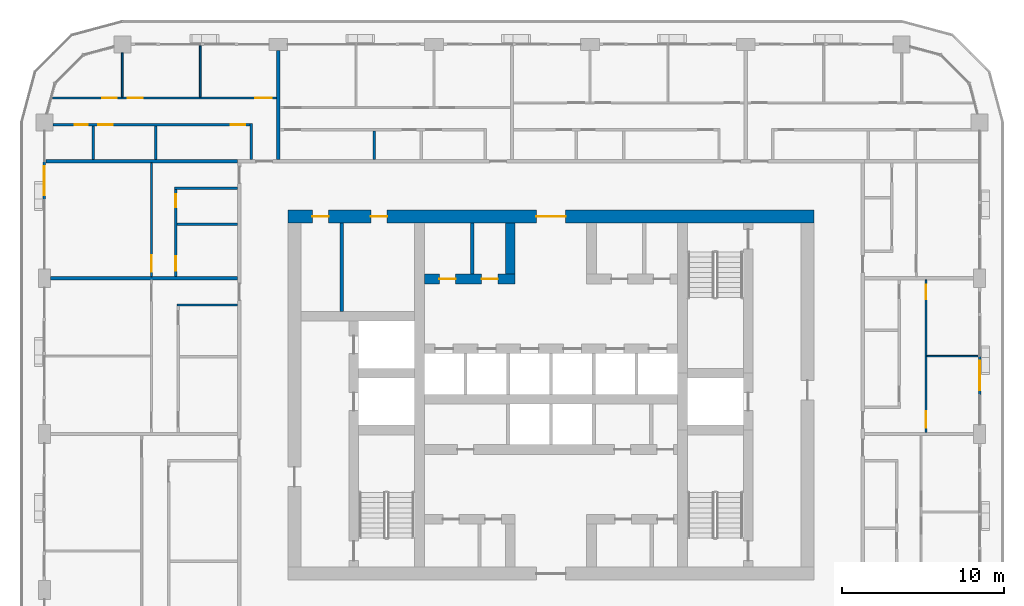
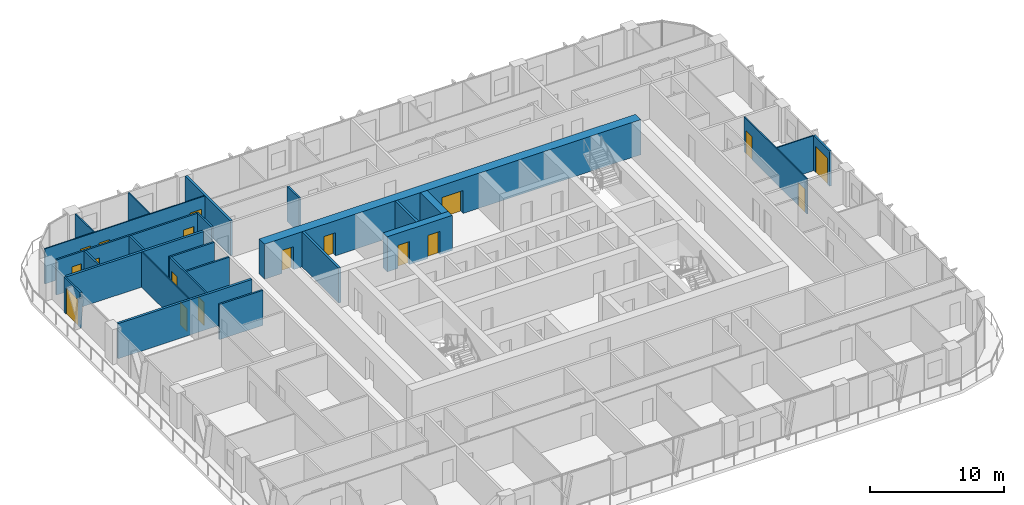
# One storey, part 13 of 22: 25 walls, 18 doors, 18 openings.
"""IFC4 building model written with IfcOpenShell, lengths in metres."""

from ifc_helpers import new_model, si_unit, direction, frame, frame_2d, origin, place, context, subcontext, project, spatial, rectangle, extrude, material, layer, layer_set, type_object, element, fill, save


model = new_model("IFC4")

# Units and contexts
model_context = context("Model", 3, precision=1e-05, world=origin(), true_north=direction((0.0, 1.0)))
body_context = subcontext(model_context, "Body", "Model", "MODEL_VIEW")
ifc_project = project(units=[si_unit("LENGTHUNIT", "METRE"), si_unit("AREAUNIT", "SQUARE_METRE"), si_unit("VOLUMEUNIT", "CUBIC_METRE"), si_unit("PLANEANGLEUNIT", "RADIAN"), si_unit("MASSUNIT", "GRAM", prefix="KILO")], contexts=[model_context])

# Site, building, storey
site_placement = place(None, origin())
site = spatial("IfcSite", under=ifc_project, at=site_placement, CompositionType="ELEMENT")
building_placement = place(site_placement, origin())
building = spatial("IfcBuilding", under=site, at=building_placement, Name="Madar Terraces", CompositionType="ELEMENT")
storey_placement = place(building_placement, frame((0.0, 0.0, 149.0)))
storey = spatial("IfcBuildingStorey", under=building, at=storey_placement, Name="L38", CompositionType="ELEMENT", Elevation=149.0)

# Wall, openings, doors
ifc_material_1 = material(Name="Concrete C70/85", Category="concrete")
ifc_layer_1 = layer(ifc_material_1, 0.60009765625)
ifc_layer_set_1 = layer_set([ifc_layer_1], Name="Concrete C70/85 (CIW3 RC wall 600)")
wall_type_1 = type_object("IfcWallType", Name="CIW3 RC wall 600", PredefinedType="SHEAR", material=ifc_layer_set_1)
wall_1_placement = place(storey_placement, frame((23.39990234375, 33.550048828125, 0.0), z_axis=(0.0, 0.0, 1.0), x_axis=(1.0, 0.0, 0.0)))
wall_1 = element("IfcWall", 1, at=wall_1_placement, inside=storey, type_object=wall_type_1, Name="CORE SHAFT WALL", PredefinedType="SHEAR", context=body_context, shape_type="SweptSolid", body=[
    extrude(rectangle(XDim=5.60009765625, YDim=0.60009765625, at=frame_2d((2.800048828125, 0.0))), origin(), (0.0, 0.0, 1.0), 3.199951171875),
])
opening_1_placement = place(wall_1_placement, frame((0.925048828125, 0.0, 0.0)))
opening_1 = element("IfcOpeningElement", 2, at=opening_1_placement, cuts=wall_1, Name="Opening KD2", PredefinedType="OPENING", context=body_context, shape_type="SweptSolid", body=[
    extrude(rectangle(XDim=1.0, YDim=2.10009765625, at=frame_2d((0.5, 1.050048828125))), frame((0.0, 0.31005859375, 0.0), z_axis=(0.0, -1.0, 0.0), x_axis=(1.0, 0.0, 0.0)), (0.0, 0.0, 1.0), 0.6201171875),
])
opening_2_placement = place(wall_1_placement, frame((3.52490234375, 0.0, 0.0)))
opening_2 = element("IfcOpeningElement", 3, at=opening_2_placement, cuts=wall_1, Name="Opening KD2", PredefinedType="OPENING", context=body_context, shape_type="SweptSolid", body=[
    extrude(rectangle(XDim=1.0, YDim=2.10009765625, at=frame_2d((0.5, 1.050048828125))), frame((0.0, 0.31005859375, 0.0), z_axis=(0.0, -1.0, 0.0), x_axis=(1.0, 0.0, 0.0)), (0.0, 0.0, 1.0), 0.6201171875),
])
ifc_material_2 = material(Name="Steel door leaf", Category="steel")
door_type_1 = type_object("IfcDoorType", Name="Service room door 1000 x 2100", OperationType="NOTDEFINED", PredefinedType="DOOR", material=ifc_material_2)
door_1_placement = place(opening_1_placement, frame((1.0, 0.0, 0.0), z_axis=(0.0, 0.0, 1.0), x_axis=(-1.0, 0.0, 0.0)))
door_1 = element("IfcDoor", 4, at=door_1_placement, inside=storey, type_object=door_type_1, Name="SERVICE ROOM DOOR", OperationType="SINGLE_SWING_RIGHT", OverallHeight=2.10009765625, OverallWidth=1.0, PredefinedType="DOOR", context=body_context, shape_type="SweptSolid", body=[
    extrude(rectangle(XDim=1.0, YDim=2.10009765625, at=frame_2d((0.5, 1.050048828125))), frame((0.0, 0.02490234375, 0.0), z_axis=(0.0, -1.0, 0.0), x_axis=(1.0, 0.0, 0.0)), (0.0, 0.0, 1.0), 0.050048828125),
])
fill(opening_1, door_1)
door_2_placement = place(opening_2_placement, frame((1.0, 0.0, 0.0), z_axis=(0.0, 0.0, 1.0), x_axis=(-1.0, 0.0, 0.0)))
door_2 = element("IfcDoor", 5, at=door_2_placement, inside=storey, type_object=door_type_1, Name="SERVICE ROOM DOOR", OperationType="SINGLE_SWING_LEFT", OverallHeight=2.10009765625, OverallWidth=1.0, PredefinedType="DOOR", context=body_context, shape_type="SweptSolid", body=[
    extrude(rectangle(XDim=1.0, YDim=2.10009765625, at=frame_2d((0.5, 1.050048828125))), frame((0.0, 0.02490234375, 0.0), z_axis=(0.0, -1.0, 0.0), x_axis=(1.0, 0.0, 0.0)), (0.0, 0.0, 1.0), 0.050048828125),
])
fill(opening_2, door_2)

# Wall
wall_2_placement = place(storey_placement, frame((28.699951171875, 33.85009765625, 0.0), z_axis=(0.0, 0.0, 1.0), x_axis=(0.0, 1.0, 0.0)))
element("IfcWall", 6, at=wall_2_placement, inside=storey, type_object=wall_type_1, Name="CORE SHAFT WALL", PredefinedType="SHEAR", context=body_context, shape_type="SweptSolid", body=[
    extrude(rectangle(XDim=3.14990234375, YDim=0.60009765625, at=frame_2d((1.574951171875, 0.0))), origin(), (0.0, 0.0, 1.0), 3.199951171875),
])

# Wall, openings, doors
ifc_material_3 = material(Name="Concrete C70/85", Category="concrete")
ifc_layer_2 = layer(ifc_material_3, 0.800048828125)
ifc_layer_set_2 = layer_set([ifc_layer_2], Name="Concrete C70/85 (CRW3 RC wall 800)")
wall_type_2 = type_object("IfcWallType", Name="CRW3 RC wall 800", PredefinedType="SHEAR", material=ifc_layer_set_2)
wall_3_placement = place(storey_placement, frame((15.0, 37.39990234375, 0.0), z_axis=(0.0, 0.0, 1.0), x_axis=(1.0, 0.0, 0.0)))
wall_3 = element("IfcWall", 7, at=wall_3_placement, inside=storey, type_object=wall_type_2, Name="CORE OUTER WALL", PredefinedType="SHEAR", context=body_context, shape_type="SweptSolid", body=[
    extrude(rectangle(XDim=32.39990234375, YDim=0.800048828125, at=frame_2d((16.199951171875, 0.0))), origin(), (0.0, 0.0, 1.0), 3.199951171875),
])
opening_3_placement = place(wall_3_placement, frame((15.300048828125, 0.0, 0.0)))
opening_3 = element("IfcOpeningElement", 8, at=opening_3_placement, cuts=wall_3, Name="Opening KD1", PredefinedType="OPENING", context=body_context, shape_type="SweptSolid", body=[
    extrude(rectangle(XDim=1.800048828125, YDim=2.10009765625, at=frame_2d((0.89990234375, 1.050048828125))), frame((0.0, 0.409912109375, 0.0), z_axis=(0.0, -1.0, 0.0), x_axis=(1.0, 0.0, 0.0)), (0.0, 0.0, 1.0), 0.820068359375),
])
opening_4_placement = place(wall_3_placement, frame((1.510009765625, 0.0, 0.0)))
opening_4 = element("IfcOpeningElement", 9, at=opening_4_placement, cuts=wall_3, Name="Opening KD2", PredefinedType="OPENING", context=body_context, shape_type="SweptSolid", body=[
    extrude(rectangle(XDim=1.0, YDim=2.10009765625, at=frame_2d((0.5, 1.050048828125))), frame((0.0, 0.409912109375, 0.0), z_axis=(0.0, -1.0, 0.0), x_axis=(1.0, 0.0, 0.0)), (0.0, 0.0, 1.0), 0.820068359375),
])
opening_5_placement = place(wall_3_placement, frame((5.110107421875, 0.0, 0.0)))
opening_5 = element("IfcOpeningElement", 10, at=opening_5_placement, cuts=wall_3, Name="Opening KD2", PredefinedType="OPENING", context=body_context, shape_type="SweptSolid", body=[
    extrude(rectangle(XDim=1.0, YDim=2.10009765625, at=frame_2d((0.5, 1.050048828125))), frame((0.0, 0.409912109375, 0.0), z_axis=(0.0, -1.0, 0.0), x_axis=(1.0, 0.0, 0.0)), (0.0, 0.0, 1.0), 0.820068359375),
])
ifc_material_4 = material(Name="Steel door leaf", Category="steel")
door_type_2 = type_object("IfcDoorType", Name="Lobby door pair 1800 x 2100", OperationType="DOUBLE_DOOR_SINGLE_SWING", PredefinedType="DOOR", material=ifc_material_4)
door_3_placement = place(opening_3_placement, origin())
door_3 = element("IfcDoor", 11, at=door_3_placement, inside=storey, type_object=door_type_2, Name="LIFT LOBBY DOOR", OperationType="DOUBLE_DOOR_SINGLE_SWING", OverallHeight=2.10009765625, OverallWidth=1.800048828125, PredefinedType="DOOR", context=body_context, shape_type="SweptSolid", body=[
    extrude(rectangle(XDim=1.800048828125, YDim=2.10009765625, at=frame_2d((0.89990234375, 1.050048828125))), frame((0.0, 0.02490234375, 0.0), z_axis=(0.0, -1.0, 0.0), x_axis=(1.0, 0.0, 0.0)), (0.0, 0.0, 1.0), 0.050048828125),
])
fill(opening_3, door_3)
door_4_placement = place(opening_4_placement, origin())
door_4 = element("IfcDoor", 12, at=door_4_placement, inside=storey, type_object=door_type_1, Name="SERVICE ROOM DOOR", OperationType="SINGLE_SWING_LEFT", OverallHeight=2.10009765625, OverallWidth=1.0, PredefinedType="DOOR", context=body_context, shape_type="SweptSolid", body=[
    extrude(rectangle(XDim=1.0, YDim=2.10009765625, at=frame_2d((0.5, 1.050048828125))), frame((0.0, 0.02490234375, 0.0), z_axis=(0.0, -1.0, 0.0), x_axis=(1.0, 0.0, 0.0)), (0.0, 0.0, 1.0), 0.050048828125),
])
fill(opening_4, door_4)
door_5_placement = place(opening_5_placement, origin())
door_5 = element("IfcDoor", 13, at=door_5_placement, inside=storey, type_object=door_type_1, Name="SERVICE ROOM DOOR", OperationType="SINGLE_SWING_RIGHT", OverallHeight=2.10009765625, OverallWidth=1.0, PredefinedType="DOOR", context=body_context, shape_type="SweptSolid", body=[
    extrude(rectangle(XDim=1.0, YDim=2.10009765625, at=frame_2d((0.5, 1.050048828125))), frame((0.0, 0.02490234375, 0.0), z_axis=(0.0, -1.0, 0.0), x_axis=(1.0, 0.0, 0.0)), (0.0, 0.0, 1.0), 0.050048828125),
])
fill(opening_5, door_5)

# Walls
ifc_material_5 = material(Name="Masonry blockwork", Category="masonry")
ifc_layer_3 = layer(ifc_material_5, 0.199951171875)
ifc_layer_set_3 = layer_set([ifc_layer_3], Name="Core partition 200 blockwork")
wall_type_3 = type_object("IfcWallType", Name="Core partition 200 blockwork", PredefinedType="PARTITIONING", material=ifc_layer_set_3)
wall_4_placement = place(storey_placement, frame((18.320068359375, 31.550048828125, 0.0), z_axis=(0.0, 0.0, 1.0), x_axis=(0.0, 1.0, 0.0)))
element("IfcWall", 14, at=wall_4_placement, inside=storey, type_object=wall_type_3, Name="SERVICE ROOM PARTITION", PredefinedType="PARTITIONING", context=body_context, shape_type="SweptSolid", body=[
    extrude(rectangle(XDim=5.449951171875, YDim=0.199951171875, at=frame_2d((2.72509765625, 0.0))), origin(), (0.0, 0.0, 1.0), 3.199951171875),
])
wall_5_placement = place(storey_placement, frame((26.35009765625, 33.85009765625, 0.0), z_axis=(0.0, 0.0, 1.0), x_axis=(0.0, 1.0, 0.0)))
element("IfcWall", 15, at=wall_5_placement, inside=storey, type_object=wall_type_3, Name="SERVICE ROOM PARTITION", PredefinedType="PARTITIONING", context=body_context, shape_type="SweptSolid", body=[
    extrude(rectangle(XDim=3.14990234375, YDim=0.199951171875, at=frame_2d((1.574951171875, 0.0))), origin(), (0.0, 0.0, 1.0), 3.199951171875),
])

# Wall, opening, door
ifc_material_6 = material(Name="Aluminium composite panel, black, over insulated backing", Category="aluminium")
ifc_layer_4 = layer(ifc_material_6, 0.14990234375)
ifc_layer_set_4 = layer_set([ifc_layer_4], Name="Facade bay panel 150")
wall_type_4 = type_object("IfcWallType", Name="Facade bay panel 150", PredefinedType="SOLIDWALL", material=ifc_layer_set_4)
wall_6_placement = place(storey_placement, frame((57.60009765625, 26.39990234375, 0.0), z_axis=(0.0, 0.0, 1.0), x_axis=(0.0, 1.0, 0.0)))
wall_6 = element("IfcWall", 16, at=wall_6_placement, inside=storey, type_object=wall_type_4, Name="Facade bay panel", PredefinedType="SOLIDWALL", context=body_context, shape_type="SweptSolid", body=[
    extrude(rectangle(XDim=2.400146484375, YDim=0.14990234375, at=frame_2d((1.2001953125, 0.0))), origin(), (0.0, 0.0, 1.0), 3.199951171875),
])
opening_6_placement = place(wall_6_placement, frame((0.300048828125, 0.0, 0.0)))
opening_6 = element("IfcOpeningElement", 17, at=opening_6_placement, cuts=wall_6, Name="Opening ED1", PredefinedType="OPENING", context=body_context, shape_type="SweptSolid", body=[
    extrude(rectangle(XDim=1.800048828125, YDim=2.39990234375, at=frame_2d((0.89990234375, 1.199951171875))), frame((0.0, 0.0849609375, 0.0), z_axis=(0.0, -1.0, 0.0), x_axis=(1.0, 0.0, 0.0)), (0.0, 0.0, 1.0), 0.169921875),
])
ifc_material_7 = material(Name="Glass, clear, with black aluminium frame", Category="aluminium")
door_type_3 = type_object("IfcDoorType", Name="Balcony and terrace sliding door 1800 x 2400", OperationType="SLIDING_TO_LEFT", PredefinedType="DOOR", material=ifc_material_7)
door_6_placement = place(opening_6_placement, origin())
door_6 = element("IfcDoor", 18, at=door_6_placement, inside=storey, type_object=door_type_3, Name="Balcony door", OperationType="SLIDING_TO_RIGHT", OverallHeight=2.39990234375, OverallWidth=1.800048828125, PredefinedType="DOOR", context=body_context, shape_type="SweptSolid", body=[
    extrude(rectangle(XDim=1.800048828125, YDim=2.39990234375, at=frame_2d((0.89990234375, 1.199951171875))), frame((0.0, 0.02490234375, 0.0), z_axis=(0.0, -1.0, 0.0), x_axis=(1.0, 0.0, 0.0)), (0.0, 0.0, 1.0), 0.050048828125),
])
fill(opening_6, door_6)

wall_7_placement = place(storey_placement, frame((0.0, 40.800048828125, 0.0), z_axis=(0.0, 0.0, 1.0), x_axis=(0.0, -1.0, 0.0)))
wall_7 = element("IfcWall", 19, at=wall_7_placement, inside=storey, type_object=wall_type_4, Name="Facade bay panel", PredefinedType="SOLIDWALL", context=body_context, shape_type="SweptSolid", body=[
    extrude(rectangle(XDim=2.400146484375, YDim=0.14990234375, at=frame_2d((1.2001953125, 0.0))), origin(), (0.0, 0.0, 1.0), 3.199951171875),
])
opening_7_placement = place(wall_7_placement, frame((0.300048828125, 0.0, 0.0)))
opening_7 = element("IfcOpeningElement", 20, at=opening_7_placement, cuts=wall_7, Name="Opening ED1", PredefinedType="OPENING", context=body_context, shape_type="SweptSolid", body=[
    extrude(rectangle(XDim=1.800048828125, YDim=2.39990234375, at=frame_2d((0.89990234375, 1.199951171875))), frame((0.0, 0.0849609375, 0.0), z_axis=(0.0, -1.0, 0.0), x_axis=(1.0, 0.0, 0.0)), (0.0, 0.0, 1.0), 0.169921875),
])
door_7_placement = place(opening_7_placement, origin())
door_7 = element("IfcDoor", 21, at=door_7_placement, inside=storey, type_object=door_type_3, Name="Balcony door", OperationType="SLIDING_TO_LEFT", OverallHeight=2.39990234375, OverallWidth=1.800048828125, PredefinedType="DOOR", context=body_context, shape_type="SweptSolid", body=[
    extrude(rectangle(XDim=1.800048828125, YDim=2.39990234375, at=frame_2d((0.89990234375, 1.199951171875))), frame((0.0, 0.02490234375, 0.0), z_axis=(0.0, -1.0, 0.0), x_axis=(1.0, 0.0, 0.0)), (0.0, 0.0, 1.0), 0.050048828125),
])
fill(opening_7, door_7)

# Wall
ifc_material_8 = material(Name="Gypsum board on steel studs", Category="steel")
ifc_layer_5 = layer(ifc_material_8, 0.10009765625)
ifc_layer_set_5 = layer_set([ifc_layer_5], Name="Flat partition 100")
wall_type_5 = type_object("IfcWallType", Name="Flat partition 100", PredefinedType="PARTITIONING", material=ifc_layer_set_5)
wall_8_placement = place(storey_placement, frame((54.35009765625, 28.800048828125, 0.0), z_axis=(0.0, 0.0, 1.0), x_axis=(1.0, 0.0, 0.0)))
element("IfcWall", 22, at=wall_8_placement, inside=storey, type_object=wall_type_5, Name="Flat partition 100", PredefinedType="PARTITIONING", context=body_context, shape_type="SweptSolid", body=[
    extrude(rectangle(XDim=3.14990234375, YDim=0.10009765625, at=frame_2d((1.574951171875, 0.0))), origin(), (0.0, 0.0, 1.0), 3.199951171875),
])

# Wall, openings, doors
wall_9_placement = place(storey_placement, frame((54.300048828125, 33.5, 0.0), z_axis=(0.0, 0.0, 1.0), x_axis=(0.0, -1.0, 0.0)))
wall_9 = element("IfcWall", 23, at=wall_9_placement, inside=storey, type_object=wall_type_5, Name="Flat partition 100", PredefinedType="PARTITIONING", context=body_context, shape_type="SweptSolid", body=[
    extrude(rectangle(XDim=9.39990234375, YDim=0.10009765625, at=frame_2d((4.699951171875, 0.0))), origin(), (0.0, 0.0, 1.0), 3.199951171875),
])
opening_8_placement = place(wall_9_placement, frame((8.10009765625, 0.0, 0.0)))
opening_8 = element("IfcOpeningElement", 24, at=opening_8_placement, cuts=wall_9, Name="Opening D3", PredefinedType="OPENING", context=body_context, shape_type="SweptSolid", body=[
    extrude(rectangle(XDim=1.0, YDim=2.10009765625, at=frame_2d((0.5, 1.050048828125))), frame((0.0, 0.06005859375, 0.0), z_axis=(0.0, -1.0, 0.0), x_axis=(1.0, 0.0, 0.0)), (0.0, 0.0, 1.0), 0.1201171875),
])
opening_9_placement = place(wall_9_placement, frame((0.300048828125, 0.0, 0.0)))
opening_9 = element("IfcOpeningElement", 25, at=opening_9_placement, cuts=wall_9, Name="Opening D2", PredefinedType="OPENING", context=body_context, shape_type="SweptSolid", body=[
    extrude(rectangle(XDim=0.89990234375, YDim=2.10009765625, at=frame_2d((0.449951171875, 1.050048828125))), frame((0.0, 0.06005859375, 0.0), z_axis=(0.0, -1.0, 0.0), x_axis=(1.0, 0.0, 0.0)), (0.0, 0.0, 1.0), 0.1201171875),
])
ifc_material_9 = material(Name="Timber door leaf", Category="wood")
door_type_4 = type_object("IfcDoorType", Name="Flat living room door 1000", OperationType="NOTDEFINED", PredefinedType="DOOR", material=ifc_material_9)
door_8_placement = place(opening_8_placement, origin())
door_8 = element("IfcDoor", 26, at=door_8_placement, inside=storey, type_object=door_type_4, Name="Flat living room door 1000", OperationType="SINGLE_SWING_RIGHT", OverallHeight=2.10009765625, OverallWidth=1.0, PredefinedType="DOOR", context=body_context, shape_type="SweptSolid", body=[
    extrude(rectangle(XDim=1.0, YDim=2.10009765625, at=frame_2d((0.5, 1.050048828125))), frame((0.0, 0.02490234375, 0.0), z_axis=(0.0, -1.0, 0.0), x_axis=(1.0, 0.0, 0.0)), (0.0, 0.0, 1.0), 0.050048828125),
])
fill(opening_8, door_8)
ifc_material_10 = material(Name="Timber door leaf", Category="wood")
door_type_5 = type_object("IfcDoorType", Name="Flat room door 900", OperationType="NOTDEFINED", PredefinedType="DOOR", material=ifc_material_10)
door_9_placement = place(opening_9_placement, origin())
door_9 = element("IfcDoor", 27, at=door_9_placement, inside=storey, type_object=door_type_5, Name="Flat room door 900", OperationType="SINGLE_SWING_LEFT", OverallHeight=2.10009765625, OverallWidth=0.89990234375, PredefinedType="DOOR", context=body_context, shape_type="SweptSolid", body=[
    extrude(rectangle(XDim=0.89990234375, YDim=2.10009765625, at=frame_2d((0.449951171875, 1.050048828125))), frame((0.0, 0.02490234375, 0.0), z_axis=(0.0, -1.0, 0.0), x_axis=(1.0, 0.0, 0.0)), (0.0, 0.0, 1.0), 0.050048828125),
])
fill(opening_9, door_9)

# Walls
wall_10_placement = place(storey_placement, frame((9.60009765625, 44.75, 0.0), z_axis=(0.0, 0.0, 1.0), x_axis=(0.0, 1.0, 0.0)))
element("IfcWall", 28, at=wall_10_placement, inside=storey, type_object=wall_type_5, Name="Flat partition 100", PredefinedType="PARTITIONING", context=body_context, shape_type="SweptSolid", body=[
    extrude(rectangle(XDim=3.14990234375, YDim=0.10009765625, at=frame_2d((1.574951171875, 0.0))), origin(), (0.0, 0.0, 1.0), 3.199951171875),
])
wall_11_placement = place(storey_placement, frame((4.800048828125, 44.75, 0.0), z_axis=(0.0, 0.0, 1.0), x_axis=(0.0, 1.0, 0.0)))
element("IfcWall", 29, at=wall_11_placement, inside=storey, type_object=wall_type_5, Name="Flat partition 100", PredefinedType="PARTITIONING", context=body_context, shape_type="SweptSolid", body=[
    extrude(rectangle(XDim=2.72509765625, YDim=0.10009765625, at=frame_2d((1.362548828125, 0.0))), origin(), (0.0, 0.0, 1.0), 3.199951171875),
])

# Wall, openings, doors
wall_12_placement = place(storey_placement, frame((0.501953125, 44.699951171875, 0.0), z_axis=(0.0, 0.0, 1.0), x_axis=(1.0, 0.0, 0.0)))
wall_12 = element("IfcWall", 30, at=wall_12_placement, inside=storey, type_object=wall_type_5, Name="Flat partition 100", PredefinedType="PARTITIONING", context=body_context, shape_type="SweptSolid", body=[
    extrude(rectangle(XDim=13.798095703125, YDim=0.10009765625, at=frame_2d((6.89892578125, 0.0))), origin(), (0.0, 0.0, 1.0), 3.199951171875),
])
opening_10_placement = place(wall_12_placement, frame((12.498046875, 0.0, 0.0)))
opening_10 = element("IfcOpeningElement", 31, at=opening_10_placement, cuts=wall_12, Name="Opening D3", PredefinedType="OPENING", context=body_context, shape_type="SweptSolid", body=[
    extrude(rectangle(XDim=1.0, YDim=2.10009765625, at=frame_2d((0.5, 1.050048828125))), frame((0.0, 0.06005859375, 0.0), z_axis=(0.0, -1.0, 0.0), x_axis=(1.0, 0.0, 0.0)), (0.0, 0.0, 1.0), 0.1201171875),
])
opening_11_placement = place(wall_12_placement, frame((4.648193359375, 0.0, 0.0)))
opening_11 = element("IfcOpeningElement", 32, at=opening_11_placement, cuts=wall_12, Name="Opening D2", PredefinedType="OPENING", context=body_context, shape_type="SweptSolid", body=[
    extrude(rectangle(XDim=0.89990234375, YDim=2.10009765625, at=frame_2d((0.449951171875, 1.050048828125))), frame((0.0, 0.06005859375, 0.0), z_axis=(0.0, -1.0, 0.0), x_axis=(1.0, 0.0, 0.0)), (0.0, 0.0, 1.0), 0.1201171875),
])
opening_12_placement = place(wall_12_placement, frame((3.048095703125, 0.0, 0.0)))
opening_12 = element("IfcOpeningElement", 33, at=opening_12_placement, cuts=wall_12, Name="Opening D2", PredefinedType="OPENING", context=body_context, shape_type="SweptSolid", body=[
    extrude(rectangle(XDim=0.89990234375, YDim=2.10009765625, at=frame_2d((0.449951171875, 1.050048828125))), frame((0.0, 0.06005859375, 0.0), z_axis=(0.0, -1.0, 0.0), x_axis=(1.0, 0.0, 0.0)), (0.0, 0.0, 1.0), 0.1201171875),
])
door_10_placement = place(opening_10_placement, origin())
door_10 = element("IfcDoor", 34, at=door_10_placement, inside=storey, type_object=door_type_4, Name="Flat living room door 1000", OperationType="SINGLE_SWING_RIGHT", OverallHeight=2.10009765625, OverallWidth=1.0, PredefinedType="DOOR", context=body_context, shape_type="SweptSolid", body=[
    extrude(rectangle(XDim=1.0, YDim=2.10009765625, at=frame_2d((0.5, 1.050048828125))), frame((0.0, 0.02490234375, 0.0), z_axis=(0.0, -1.0, 0.0), x_axis=(1.0, 0.0, 0.0)), (0.0, 0.0, 1.0), 0.050048828125),
])
fill(opening_10, door_10)
door_11_placement = place(opening_11_placement, origin())
door_11 = element("IfcDoor", 35, at=door_11_placement, inside=storey, type_object=door_type_5, Name="Flat room door 900", OperationType="SINGLE_SWING_LEFT", OverallHeight=2.10009765625, OverallWidth=0.89990234375, PredefinedType="DOOR", context=body_context, shape_type="SweptSolid", body=[
    extrude(rectangle(XDim=0.89990234375, YDim=2.10009765625, at=frame_2d((0.449951171875, 1.050048828125))), frame((0.0, 0.02490234375, 0.0), z_axis=(0.0, -1.0, 0.0), x_axis=(1.0, 0.0, 0.0)), (0.0, 0.0, 1.0), 0.050048828125),
])
fill(opening_11, door_11)
door_12_placement = place(opening_12_placement, origin())
door_12 = element("IfcDoor", 36, at=door_12_placement, inside=storey, type_object=door_type_5, Name="Flat room door 900", OperationType="SINGLE_SWING_RIGHT", OverallHeight=2.10009765625, OverallWidth=0.89990234375, PredefinedType="DOOR", context=body_context, shape_type="SweptSolid", body=[
    extrude(rectangle(XDim=0.89990234375, YDim=2.10009765625, at=frame_2d((0.449951171875, 1.050048828125))), frame((0.0, 0.02490234375, 0.0), z_axis=(0.0, -1.0, 0.0), x_axis=(1.0, 0.0, 0.0)), (0.0, 0.0, 1.0), 0.050048828125),
])
fill(opening_12, door_12)

# Wall, opening, door
wall_13_placement = place(storey_placement, frame((6.60009765625, 33.699951171875, 0.0), z_axis=(0.0, 0.0, 1.0), x_axis=(0.0, 1.0, 0.0)))
wall_13 = element("IfcWall", 37, at=wall_13_placement, inside=storey, type_object=wall_type_5, Name="Flat partition 100", PredefinedType="PARTITIONING", context=body_context, shape_type="SweptSolid", body=[
    extrude(rectangle(XDim=7.0, YDim=0.10009765625, at=frame_2d((3.5, 0.0))), origin(), (0.0, 0.0, 1.0), 3.199951171875),
])
opening_13_placement = place(wall_13_placement, frame((0.300048828125, 0.0, 0.0)))
opening_13 = element("IfcOpeningElement", 38, at=opening_13_placement, cuts=wall_13, Name="Opening D3", PredefinedType="OPENING", context=body_context, shape_type="SweptSolid", body=[
    extrude(rectangle(XDim=1.0, YDim=2.10009765625, at=frame_2d((0.5, 1.050048828125))), frame((0.0, 0.06005859375, 0.0), z_axis=(0.0, -1.0, 0.0), x_axis=(1.0, 0.0, 0.0)), (0.0, 0.0, 1.0), 0.1201171875),
])
door_13_placement = place(opening_13_placement, origin())
door_13 = element("IfcDoor", 39, at=door_13_placement, inside=storey, type_object=door_type_4, Name="Flat living room door 1000", OperationType="SINGLE_SWING_LEFT", OverallHeight=2.10009765625, OverallWidth=1.0, PredefinedType="DOOR", context=body_context, shape_type="SweptSolid", body=[
    extrude(rectangle(XDim=1.0, YDim=2.10009765625, at=frame_2d((0.5, 1.050048828125))), frame((0.0, 0.02490234375, 0.0), z_axis=(0.0, -1.0, 0.0), x_axis=(1.0, 0.0, 0.0)), (0.0, 0.0, 1.0), 0.050048828125),
])
fill(opening_13, door_13)

# Walls
ifc_material_11 = material(Name="Lightweight blockwork", Category="masonry")
ifc_layer_6 = layer(ifc_material_11, 0.199951171875)
ifc_layer_set_6 = layer_set([ifc_layer_6], Name="Flat party and entrance wall 200")
wall_type_6 = type_object("IfcWallType", Name="Flat party and entrance wall 200", PredefinedType="PARTITIONING", material=ifc_layer_set_6)
wall_14_placement = place(storey_placement, frame((14.39990234375, 47.625, 0.0), z_axis=(0.0, 0.0, 1.0), x_axis=(0.0, -1.0, 0.0)))
element("IfcWall", 40, at=wall_14_placement, inside=storey, type_object=wall_type_6, Name="Flat party and entrance wall 200", PredefinedType="PARTITIONING", context=body_context, shape_type="SweptSolid", body=[
    extrude(rectangle(XDim=6.72509765625, YDim=0.199951171875, at=frame_2d((3.362548828125, 0.0))), origin(), (0.0, 0.0, 1.0), 3.199951171875),
])
wall_15_placement = place(storey_placement, frame((0.10009765625, 40.800048828125, 0.0), z_axis=(0.0, 0.0, 1.0), x_axis=(1.0, 0.0, 0.0)))
element("IfcWall", 41, at=wall_15_placement, inside=storey, type_object=wall_type_6, Name="Flat party and entrance wall 200", PredefinedType="PARTITIONING", context=body_context, shape_type="SweptSolid", body=[
    extrude(rectangle(XDim=11.7998046875, YDim=0.199951171875, at=frame_2d((5.89990234375, 0.0))), origin(), (0.0, 0.0, 1.0), 3.199951171875),
])
wall_16_placement = place(storey_placement, frame((0.375, 33.60009765625, 0.0), z_axis=(0.0, 0.0, 1.0), x_axis=(1.0, 0.0, 0.0)))
element("IfcWall", 42, at=wall_16_placement, inside=storey, type_object=wall_type_6, Name="Flat party and entrance wall 200", PredefinedType="PARTITIONING", context=body_context, shape_type="SweptSolid", body=[
    extrude(rectangle(XDim=11.52490234375, YDim=0.199951171875, at=frame_2d((5.762451171875, 0.0))), origin(), (0.0, 0.0, 1.0), 3.199951171875),
])
ifc_material_12 = material(Name="Lightweight blockwork", Category="masonry")
ifc_layer_7 = layer(ifc_material_12, 0.14990234375)
ifc_layer_set_7 = layer_set([ifc_layer_7], Name="Flat wet-room partition 150")
wall_type_7 = type_object("IfcWallType", Name="Flat wet-room partition 150", PredefinedType="PARTITIONING", material=ifc_layer_set_7)
wall_17_placement = place(storey_placement, frame((20.303955078125, 40.89990234375, 0.0), z_axis=(0.0, 0.0, 1.0), x_axis=(0.0, 1.0, 0.0)))
element("IfcWall", 43, at=wall_17_placement, inside=storey, type_object=wall_type_7, Name="Flat wet-room partition 150", PredefinedType="PARTITIONING", context=body_context, shape_type="SweptSolid", body=[
    extrude(rectangle(XDim=1.775146484375, YDim=0.14990234375, at=frame_2d((0.8876953125, 0.0))), origin(), (0.0, 0.0, 1.0), 3.199951171875),
])
for number, where, z_axis, x_axis, name in (
    (44, (6.87109375, 40.89990234375, 0.0), (0.0, 0.0, 1.0), (0.0, 1.0, 0.0), "Flat wet-room partition 150"),
    (45, (3.001953125, 40.89990234375, 0.0), (0.0, 0.0, 1.0), (0.0, 1.0, 0.0), "Flat wet-room partition 150"),
):
    element("IfcWall", number, at=place(storey_placement, frame(where, z_axis=z_axis, x_axis=x_axis)), inside=storey, type_object=wall_type_7, Name=name, PredefinedType="PARTITIONING", context=body_context, shape_type="SweptSolid", body=[
        extrude(rectangle(XDim=2.0751953125, YDim=0.14990234375, at=frame_2d((1.03759765625, 0.0))), origin(), (0.0, 0.0, 1.0), 3.199951171875),
    ])
wall_18_placement = place(storey_placement, frame((12.75, 40.89990234375, 0.0), z_axis=(0.0, 0.0, 1.0), x_axis=(0.0, 1.0, 0.0)))
element("IfcWall", 46, at=wall_18_placement, inside=storey, type_object=wall_type_7, Name="Flat wet-room partition 150", PredefinedType="PARTITIONING", context=body_context, shape_type="SweptSolid", body=[
    extrude(rectangle(XDim=2.22509765625, YDim=0.14990234375, at=frame_2d((1.112548828125, 0.0))), origin(), (0.0, 0.0, 1.0), 3.199951171875),
])

# Wall, openings, doors
wall_19_placement = place(storey_placement, frame((12.675048828125, 43.050048828125, 0.0), z_axis=(0.0, 0.0, 1.0), x_axis=(-1.0, 0.0, 0.0)))
wall_19 = element("IfcWall", 47, at=wall_19_placement, inside=storey, type_object=wall_type_7, Name="Flat wet-room partition 150", PredefinedType="PARTITIONING", context=body_context, shape_type="SweptSolid", body=[
    extrude(rectangle(XDim=12.150146484375, YDim=0.14990234375, at=frame_2d((6.0751953125, 0.0))), origin(), (0.0, 0.0, 1.0), 3.199951171875),
])
opening_14_placement = place(wall_19_placement, frame((0.300048828125, 0.0, 0.0)))
opening_14 = element("IfcOpeningElement", 48, at=opening_14_placement, cuts=wall_19, Name="Opening D2", PredefinedType="OPENING", context=body_context, shape_type="SweptSolid", body=[
    extrude(rectangle(XDim=0.89990234375, YDim=2.10009765625, at=frame_2d((0.449951171875, 1.050048828125))), frame((0.0, 0.0849609375, 0.0), z_axis=(0.0, -1.0, 0.0), x_axis=(1.0, 0.0, 0.0)), (0.0, 0.0, 1.0), 0.169921875),
])
opening_15_placement = place(wall_19_placement, frame((8.447998046875, 0.0, 0.0)))
opening_15 = element("IfcOpeningElement", 49, at=opening_15_placement, cuts=wall_19, Name="Opening D5", PredefinedType="OPENING", context=body_context, shape_type="SweptSolid", body=[
    extrude(rectangle(XDim=0.89990234375, YDim=2.10009765625, at=frame_2d((0.449951171875, 1.050048828125))), frame((0.0, 0.0849609375, 0.0), z_axis=(0.0, -1.0, 0.0), x_axis=(1.0, 0.0, 0.0)), (0.0, 0.0, 1.0), 0.169921875),
])
opening_16_placement = place(wall_19_placement, frame((9.998046875, 0.0, 0.0)))
opening_16 = element("IfcOpeningElement", 50, at=opening_16_placement, cuts=wall_19, Name="Opening D4", PredefinedType="OPENING", context=body_context, shape_type="SweptSolid", body=[
    extrude(rectangle(XDim=0.800048828125, YDim=2.10009765625, at=frame_2d((0.39990234375, 1.050048828125))), frame((0.0, 0.0849609375, 0.0), z_axis=(0.0, -1.0, 0.0), x_axis=(1.0, 0.0, 0.0)), (0.0, 0.0, 1.0), 0.169921875),
])
ifc_material_13 = material(Name="Timber door leaf", Category="wood")
door_type_6 = type_object("IfcDoorType", Name="Flat accessible bathroom door 900", OperationType="NOTDEFINED", PredefinedType="DOOR", material=ifc_material_13)
door_14_placement = place(opening_15_placement, origin())
door_14 = element("IfcDoor", 51, at=door_14_placement, inside=storey, type_object=door_type_6, Name="Flat accessible bathroom door 900", OperationType="SINGLE_SWING_RIGHT", OverallHeight=2.10009765625, OverallWidth=0.89990234375, PredefinedType="DOOR", context=body_context, shape_type="SweptSolid", body=[
    extrude(rectangle(XDim=0.89990234375, YDim=2.10009765625, at=frame_2d((0.449951171875, 1.050048828125))), frame((0.0, 0.02490234375, 0.0), z_axis=(0.0, -1.0, 0.0), x_axis=(1.0, 0.0, 0.0)), (0.0, 0.0, 1.0), 0.050048828125),
])
fill(opening_15, door_14)
ifc_material_14 = material(Name="Timber door leaf", Category="wood")
door_type_7 = type_object("IfcDoorType", Name="Flat bathroom door 800", OperationType="NOTDEFINED", PredefinedType="DOOR", material=ifc_material_14)
door_15_placement = place(opening_16_placement, origin())
door_15 = element("IfcDoor", 52, at=door_15_placement, inside=storey, type_object=door_type_7, Name="Flat bathroom door 800", OperationType="SINGLE_SWING_LEFT", OverallHeight=2.10009765625, OverallWidth=0.800048828125, PredefinedType="DOOR", context=body_context, shape_type="SweptSolid", body=[
    extrude(rectangle(XDim=0.800048828125, YDim=2.10009765625, at=frame_2d((0.39990234375, 1.050048828125))), frame((0.0, 0.02490234375, 0.0), z_axis=(0.0, -1.0, 0.0), x_axis=(1.0, 0.0, 0.0)), (0.0, 0.0, 1.0), 0.050048828125),
])
fill(opening_16, door_15)
door_16_placement = place(opening_14_placement, origin())
door_16 = element("IfcDoor", 53, at=door_16_placement, inside=storey, type_object=door_type_5, Name="Flat room door 900", OperationType="SINGLE_SWING_LEFT", OverallHeight=2.10009765625, OverallWidth=0.89990234375, PredefinedType="DOOR", context=body_context, shape_type="SweptSolid", body=[
    extrude(rectangle(XDim=0.89990234375, YDim=2.10009765625, at=frame_2d((0.449951171875, 1.050048828125))), frame((0.0, 0.02490234375, 0.0), z_axis=(0.0, -1.0, 0.0), x_axis=(1.0, 0.0, 0.0)), (0.0, 0.0, 1.0), 0.050048828125),
])
fill(opening_14, door_16)

# Walls
wall_20_placement = place(storey_placement, frame((11.89990234375, 36.925048828125, 0.0), z_axis=(0.0, 0.0, 1.0), x_axis=(-1.0, 0.0, 0.0)))
element("IfcWall", 54, at=wall_20_placement, inside=storey, type_object=wall_type_7, Name="Flat wet-room partition 150", PredefinedType="PARTITIONING", context=body_context, shape_type="SweptSolid", body=[
    extrude(rectangle(XDim=3.724853515625, YDim=0.14990234375, at=frame_2d((1.8623046875, 0.0))), origin(), (0.0, 0.0, 1.0), 3.199951171875),
])
wall_21_placement = place(storey_placement, frame((11.89990234375, 39.14990234375, 0.0), z_axis=(0.0, 0.0, 1.0), x_axis=(-1.0, 0.0, 0.0)))
element("IfcWall", 55, at=wall_21_placement, inside=storey, type_object=wall_type_7, Name="Flat wet-room partition 150", PredefinedType="PARTITIONING", context=body_context, shape_type="SweptSolid", body=[
    extrude(rectangle(XDim=3.875, YDim=0.14990234375, at=frame_2d((1.9375, 0.0))), origin(), (0.0, 0.0, 1.0), 3.199951171875),
])

# Wall, openings, doors
wall_22_placement = place(storey_placement, frame((8.10009765625, 39.074951171875, 0.0), z_axis=(0.0, 0.0, 1.0), x_axis=(0.0, -1.0, 0.0)))
wall_22 = element("IfcWall", 56, at=wall_22_placement, inside=storey, type_object=wall_type_7, Name="Flat wet-room partition 150", PredefinedType="PARTITIONING", context=body_context, shape_type="SweptSolid", body=[
    extrude(rectangle(XDim=5.375, YDim=0.14990234375, at=frame_2d((2.6875, 0.0))), origin(), (0.0, 0.0, 1.0), 3.199951171875),
])
opening_17_placement = place(wall_22_placement, frame((0.300048828125, 0.0, 0.0)))
opening_17 = element("IfcOpeningElement", 57, at=opening_17_placement, cuts=wall_22, Name="Opening D4", PredefinedType="OPENING", context=body_context, shape_type="SweptSolid", body=[
    extrude(rectangle(XDim=0.800048828125, YDim=2.10009765625, at=frame_2d((0.39990234375, 1.050048828125))), frame((0.0, 0.0849609375, 0.0), z_axis=(0.0, -1.0, 0.0), x_axis=(1.0, 0.0, 0.0)), (0.0, 0.0, 1.0), 0.169921875),
])
opening_18_placement = place(wall_22_placement, frame((4.125, 0.0, 0.0)))
opening_18 = element("IfcOpeningElement", 58, at=opening_18_placement, cuts=wall_22, Name="Opening D2", PredefinedType="OPENING", context=body_context, shape_type="SweptSolid", body=[
    extrude(rectangle(XDim=0.89990234375, YDim=2.10009765625, at=frame_2d((0.449951171875, 1.050048828125))), frame((0.0, 0.0849609375, 0.0), z_axis=(0.0, -1.0, 0.0), x_axis=(1.0, 0.0, 0.0)), (0.0, 0.0, 1.0), 0.169921875),
])
door_17_placement = place(opening_17_placement, origin())
door_17 = element("IfcDoor", 59, at=door_17_placement, inside=storey, type_object=door_type_7, Name="Flat bathroom door 800", OperationType="SINGLE_SWING_LEFT", OverallHeight=2.10009765625, OverallWidth=0.800048828125, PredefinedType="DOOR", context=body_context, shape_type="SweptSolid", body=[
    extrude(rectangle(XDim=0.800048828125, YDim=2.10009765625, at=frame_2d((0.39990234375, 1.050048828125))), frame((0.0, 0.02490234375, 0.0), z_axis=(0.0, -1.0, 0.0), x_axis=(1.0, 0.0, 0.0)), (0.0, 0.0, 1.0), 0.050048828125),
])
fill(opening_17, door_17)
door_18_placement = place(opening_18_placement, origin())
door_18 = element("IfcDoor", 60, at=door_18_placement, inside=storey, type_object=door_type_5, Name="Flat room door 900", OperationType="SINGLE_SWING_RIGHT", OverallHeight=2.10009765625, OverallWidth=0.89990234375, PredefinedType="DOOR", context=body_context, shape_type="SweptSolid", body=[
    extrude(rectangle(XDim=0.89990234375, YDim=2.10009765625, at=frame_2d((0.449951171875, 1.050048828125))), frame((0.0, 0.02490234375, 0.0), z_axis=(0.0, -1.0, 0.0), x_axis=(1.0, 0.0, 0.0)), (0.0, 0.0, 1.0), 0.050048828125),
])
fill(opening_18, door_18)

# Wall
wall_23_placement = place(storey_placement, frame((11.89990234375, 31.949951171875, 0.0), z_axis=(0.0, 0.0, 1.0), x_axis=(-1.0, 0.0, 0.0)))
element("IfcWall", 61, at=wall_23_placement, inside=storey, type_object=wall_type_7, Name="Flat wet-room partition 150", PredefinedType="PARTITIONING", context=body_context, shape_type="SweptSolid", body=[
    extrude(rectangle(XDim=3.724853515625, YDim=0.14990234375, at=frame_2d((1.8623046875, 0.0))), origin(), (0.0, 0.0, 1.0), 3.199951171875),
])

save(model, "model.ifc")
